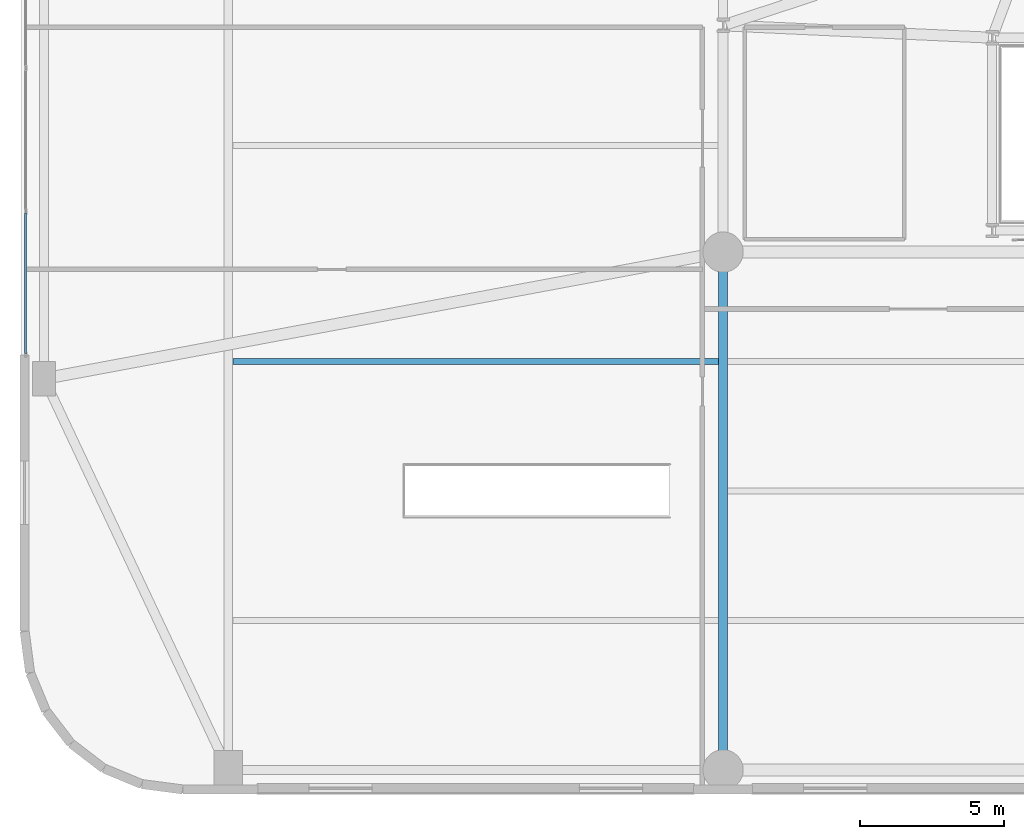
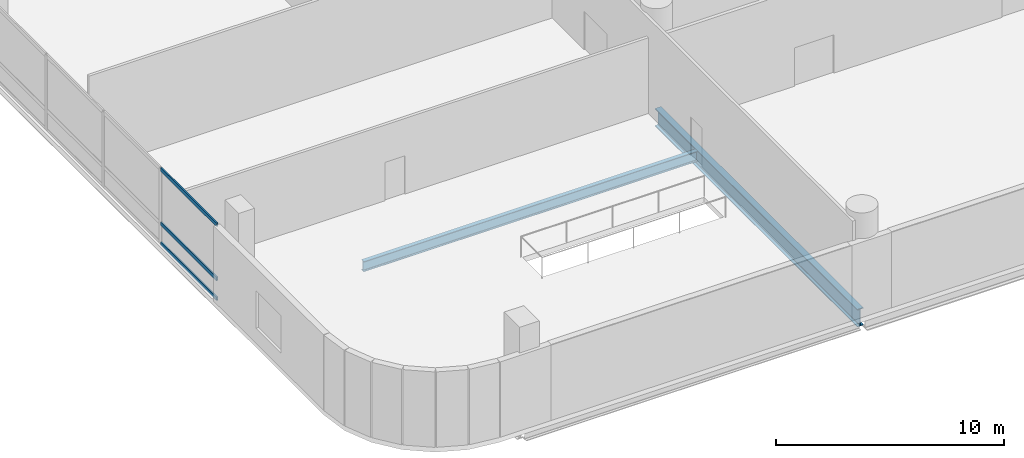
# One storey, part 3 of 31: 3 members, 2 beams, 1 element without a shape of its own.
"""IFC4 building model written with IfcOpenShell, lengths in metres."""

from ifc_helpers import new_model, si_unit, direction, frame, origin, origin_2d, place, context, subcontext, project, spatial, hollow_rectangle, i_section, extrude, material, layer, layer_set, material_profile, profile_set, type_object, element, aggregate, save


model = new_model("IFC4")

# Units and contexts
model_context = context("Model", 3, precision=1e-05, world=origin(), true_north=direction((0.0, 1.0)))
body_context = subcontext(model_context, "Body", "Model", "MODEL_VIEW")
ifc_project = project(units=[si_unit("LENGTHUNIT", "METRE"), si_unit("AREAUNIT", "SQUARE_METRE"), si_unit("VOLUMEUNIT", "CUBIC_METRE"), si_unit("PLANEANGLEUNIT", "RADIAN"), si_unit("MASSUNIT", "GRAM", prefix="KILO")], contexts=[model_context])

# Site, building, storey
site_placement = place(None, origin())
site = spatial("IfcSite", under=ifc_project, at=site_placement, CompositionType="ELEMENT")
building_placement = place(site_placement, origin())
building = spatial("IfcBuilding", under=site, at=building_placement, Name="Varnelok Gate Tower", CompositionType="ELEMENT")
storey_placement = place(building_placement, frame((0.0, 0.0, 16.199951171875)))
storey = spatial("IfcBuildingStorey", under=building, at=storey_placement, Name="L03", CompositionType="ELEMENT", Elevation=16.199951171875)

# Beams
ifc_material_1 = material(Name="Structural Steel ASTM A992 Grade 50", Category="steel")
ifc_material_profile_1 = material_profile(ifc_material_1, i_section(OverallWidth=0.2119140625, OverallDepth=0.5439453125, WebThickness=0.01318359375, FlangeThickness=0.021240234375, FilletRadius=0.01611328125, at=origin_2d()), Name="W21X83")
ifc_profile_set_1 = profile_set([ifc_material_profile_1], Name="Structural Steel ASTM A992 Grade 50")
beam_type_1 = type_object("IfcBeamType", Name="BM-JST-W21X83", PredefinedType="JOIST", material=ifc_profile_set_1)
beam_1_placement = place(storey_placement, frame((7.360107421875, 15.0, -0.552001953125), z_axis=(1.0, 0.0, 0.0), x_axis=(0.0, 1.0, 0.0)))
element("IfcBeam", 1, at=beam_1_placement, inside=storey, type_object=beam_type_1, Name="L03 Podium Floor Joist", PredefinedType="JOIST", context=body_context, shape_type="SweptSolid", body=[
    extrude(i_section(OverallWidth=0.2119140625, OverallDepth=0.5439453125, WebThickness=0.01318359375, FlangeThickness=0.021240234375, FilletRadius=0.01611328125, at=origin_2d()), origin(), (0.0, 0.0, 1.0), 16.8798828125),
])
ifc_material_profile_2 = material_profile(ifc_material_1, i_section(OverallWidth=0.30810546875, OverallDepth=0.943115234375, WebThickness=0.022216796875, FlangeThickness=0.039794921875, FilletRadius=0.02587890625, at=origin_2d()), Name="W36X232")
ifc_profile_set_2 = profile_set([ifc_material_profile_2], Name="Structural Steel ASTM A992 Grade 50")
beam_type_2 = type_object("IfcBeamType", Name="BM-PRI-W36X232", PredefinedType="BEAM", material=ifc_profile_set_2)
beam_2_placement = place(storey_placement, frame((24.39990234375, 0.93994140625, -0.75146484375), z_axis=(0.0, 1.0, 0.0), x_axis=(-1.0, 0.0, 0.0)))
element("IfcBeam", 2, at=beam_2_placement, inside=storey, type_object=beam_type_2, Name="L03 Podium Primary Girder 12", PredefinedType="BEAM", context=body_context, shape_type="SweptSolid", body=[
    extrude(i_section(OverallWidth=0.30810546875, OverallDepth=0.943115234375, WebThickness=0.022216796875, FlangeThickness=0.039794921875, FilletRadius=0.02587890625, at=origin_2d()), origin(), (0.0, 0.0, 1.0), 17.719970703125),
])

# Curtain wall, members
ifc_material_2 = material(Name="Anodized Aluminum Alloy 6063-T6", Category="aluminium")
ifc_layer = layer(ifc_material_2, 0.179931640625)
ifc_layer_set = layer_set([ifc_layer], Name="Anodized Aluminum Alloy 6063-T6")
curtain_wall_type = type_object("IfcCurtainWallType", Name="CW1-ARCH-PORTAL", PredefinedType="USERDEFINED", material=ifc_layer_set)
curtain_wall_placement = place(storey_placement, origin())
curtain_wall = element("IfcCurtainWall", 3, at=curtain_wall_placement, inside=storey, type_object=curtain_wall_type, Name="L03 Podium Portal Curtain Wall W", ObjectType="UNITISED CURTAIN WALL", PredefinedType="USERDEFINED")
ifc_material_profile_3 = material_profile(ifc_material_2, hollow_rectangle(XDim=0.074951171875, YDim=0.199951171875, WallThickness=0.00390625, at=origin_2d()), Name="ALU200X75X4")
ifc_profile_set_3 = profile_set([ifc_material_profile_3], Name="Anodized Aluminum Alloy 6063-T6")
member_type = type_object("IfcMemberType", Name="CW-TRAN-200", PredefinedType="USERDEFINED", material=ifc_profile_set_3)
member_1_placement = place(storey_placement, frame((0.159912109375, 15.27490234375, 0.03759765625), z_axis=(0.0, 1.0, 0.0), x_axis=(-1.0, 0.0, 0.0)))
member_1 = element("IfcMember", 4, at=member_1_placement, type_object=member_type, Name="CW1 transom 1.1", ObjectType="TRANSOM", PredefinedType="USERDEFINED", context=body_context, shape_type="SweptSolid", body=[
    extrude(hollow_rectangle(XDim=0.074951171875, YDim=0.199951171875, WallThickness=0.00390625, at=origin_2d()), origin(), (0.0, 0.0, 1.0), 4.8876953125),
])
member_2_placement = place(storey_placement, frame((0.159912109375, 15.27490234375, 1.10009765625), z_axis=(0.0, 1.0, 0.0), x_axis=(-1.0, 0.0, 0.0)))
member_2 = element("IfcMember", 5, at=member_2_placement, type_object=member_type, Name="CW1 transom 1.2", ObjectType="TRANSOM", PredefinedType="USERDEFINED", context=body_context, shape_type="SweptSolid", body=[
    extrude(hollow_rectangle(XDim=0.074951171875, YDim=0.199951171875, WallThickness=0.00390625, at=origin_2d()), origin(), (0.0, 0.0, 1.0), 4.8876953125),
])
member_3_placement = place(storey_placement, frame((0.159912109375, 15.27490234375, 3.992431640625), z_axis=(0.0, 1.0, 0.0), x_axis=(-1.0, 0.0, 0.0)))
member_3 = element("IfcMember", 6, at=member_3_placement, type_object=member_type, Name="CW1 transom 1.3", ObjectType="TRANSOM", PredefinedType="USERDEFINED", context=body_context, shape_type="SweptSolid", body=[
    extrude(hollow_rectangle(XDim=0.074951171875, YDim=0.199951171875, WallThickness=0.00390625, at=origin_2d()), origin(), (0.0, 0.0, 1.0), 4.8876953125),
])
aggregate(curtain_wall, [member_1, member_2, member_3])

save(model, "model.ifc")
